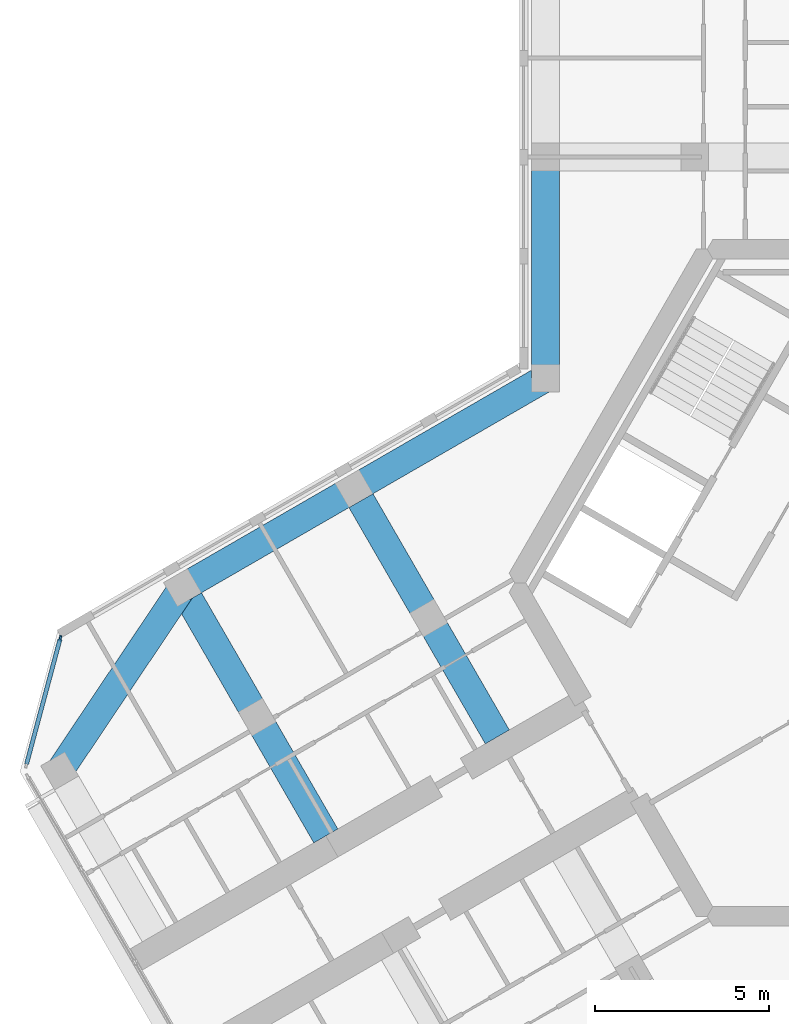
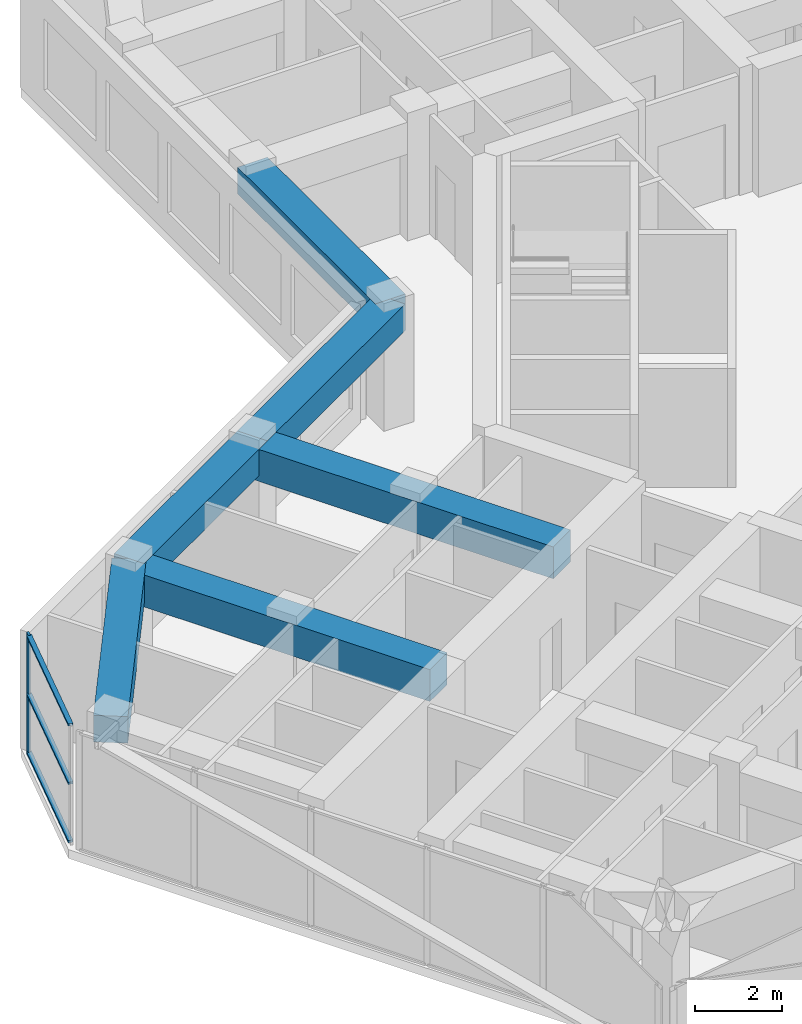
# One storey, part 3 of 14: 6 beams, 4 members, 1 element without a shape of its own.
"""IFC4 building model written with IfcOpenShell, lengths in metres."""

from ifc_helpers import new_model, si_unit, direction, frame, origin, origin_2d, place, context, subcontext, project, spatial, rectangle, extrude, material, material_profile, profile_set, type_object, element, aggregate, save


model = new_model("IFC4")

# Units and contexts
model_context = context("Model", 3, precision=1e-05, world=origin(), true_north=direction((0.0, 1.0)))
body_context = subcontext(model_context, "Body", "Model", "MODEL_VIEW")
ifc_project = project(units=[si_unit("LENGTHUNIT", "METRE"), si_unit("AREAUNIT", "SQUARE_METRE"), si_unit("VOLUMEUNIT", "CUBIC_METRE"), si_unit("PLANEANGLEUNIT", "RADIAN"), si_unit("MASSUNIT", "GRAM", prefix="KILO")], contexts=[model_context])

# Site, building, storey
site_placement = place(None, origin())
site = spatial("IfcSite", under=ifc_project, at=site_placement, CompositionType="ELEMENT")
building_placement = place(site_placement, origin())
building = spatial("IfcBuilding", under=site, at=building_placement, Name="Kosmar Iwan School Tower", CompositionType="ELEMENT")
storey_placement = place(building_placement, frame((0.0, 0.0, 267.39990234375)))
storey = spatial("IfcBuildingStorey", under=building, at=storey_placement, Name="L67", CompositionType="ELEMENT", Elevation=267.39990234375)

# Curtain wall, member
ifc_material_1 = material(Name="Dark glass in black aluminium frame", Category="aluminium")
curtain_wall_type = type_object("IfcCurtainWallType", Name="Chamfer curtain wall dark glass", PredefinedType="USERDEFINED", material=ifc_material_1)
curtain_wall_placement = place(storey_placement, origin())
curtain_wall = element("IfcCurtainWall", 1, at=curtain_wall_placement, inside=storey, type_object=curtain_wall_type, Name="Curtain wall L67-F12", ObjectType="FACETED CURTAIN WALL", PredefinedType="USERDEFINED")
ifc_material_2 = material(Name="Black anodised aluminium", Category="aluminium")
ifc_material_profile_1 = material_profile(ifc_material_2, rectangle(XDim=0.06005859375, YDim=0.159912109375, at=origin_2d()), Name="MULLION 60x160")
ifc_profile_set_1 = profile_set([ifc_material_profile_1], Name="Black anodised aluminium")
member_type_1 = type_object("IfcMemberType", Name="Mullion 60x160", PredefinedType="MULLION", material=ifc_profile_set_1)
member_1_placement = place(storey_placement, frame((-24.163818359375, -1.59814453125, 0.0), z_axis=(0.0, 0.0, 1.0), x_axis=(0.965925875495, -0.258818861462, 0.0)))
member_1 = element("IfcMember", 2, at=member_1_placement, type_object=member_type_1, Name="CW2 mullion 1", PredefinedType="MULLION", context=body_context, shape_type="SweptSolid", body=[
    extrude(rectangle(XDim=0.06005859375, YDim=0.159912109375, at=origin_2d()), origin(), (0.0, 0.0, 1.0), 3.35009765625),
])

# Beams
ifc_material_3 = material(Name="Concrete C50/60", Category="concrete")
ifc_material_profile_2 = material_profile(ifc_material_3, rectangle(XDim=0.800048828125, YDim=0.75, at=origin_2d()), Name="RC 800x750")
ifc_profile_set_2 = profile_set([ifc_material_profile_2], Name="Concrete C50/60")
beam_type_1 = type_object("IfcBeamType", Name="RC edge beam 800x750", PredefinedType="BEAM", material=ifc_profile_set_2)
beam_1_placement = place(storey_placement, frame((-10.199951171875, 5.888916015625, 2.97509765625), z_axis=(0.0, 1.0, 0.0), x_axis=(-1.0, 0.0, 0.0)))
element("IfcBeam", 3, at=beam_1_placement, inside=storey, type_object=beam_type_1, Name="Edge beam AL1", PredefinedType="BEAM", context=body_context, shape_type="SweptSolid", body=[
    extrude(rectangle(XDim=0.800048828125, YDim=0.75, at=origin_2d()), origin(), (0.0, 0.0, 1.0), 6.361083984375),
])
beam_2_placement = place(storey_placement, frame((-10.199951171875, 5.888916015625, 2.97509765625), z_axis=(-0.866030912664, -0.49999045822, 0.0), x_axis=(0.49999045822, -0.866030912664, 0.0)))
element("IfcBeam", 4, at=beam_2_placement, inside=storey, type_object=beam_type_1, Name="Edge beam BR1", PredefinedType="BEAM", context=body_context, shape_type="SweptSolid", body=[
    extrude(rectangle(XDim=0.800048828125, YDim=0.75, at=origin_2d()), origin(), (0.0, 0.0, 1.0), 6.36083984375),
])
beam_3_placement = place(storey_placement, frame((-15.708740234375, 2.70849609375, 2.97509765625), z_axis=(-0.866025820012, -0.499999279071, 0.0), x_axis=(0.499999279071, -0.866025820012, 0.0)))
element("IfcBeam", 5, at=beam_3_placement, inside=storey, type_object=beam_type_1, Name="Edge beam BR2", PredefinedType="BEAM", context=body_context, shape_type="SweptSolid", body=[
    extrude(rectangle(XDim=0.800048828125, YDim=0.75, at=origin_2d()), origin(), (0.0, 0.0, 1.0), 5.7001953125),
])
ifc_material_4 = material(Name="Concrete C50/60", Category="concrete")
ifc_material_profile_3 = material_profile(ifc_material_4, rectangle(XDim=0.800048828125, YDim=0.75, at=origin_2d()), Name="RC 800x750")
ifc_profile_set_3 = profile_set([ifc_material_profile_3], Name="Concrete C50/60")
beam_type_2 = type_object("IfcBeamType", Name="RC tip beam 800x750", PredefinedType="BEAM", material=ifc_profile_set_3)
beam_4_placement = place(storey_placement, frame((-20.645263671875, -0.1416015625, 2.97509765625), z_axis=(-0.556827604145, -0.83062808721, 0.0), x_axis=(0.83062808721, -0.556827604145, 0.0)))
element("IfcBeam", 6, at=beam_4_placement, inside=storey, type_object=beam_type_2, Name="Tip beam BR", PredefinedType="BEAM", context=body_context, shape_type="SweptSolid", body=[
    extrude(rectangle(XDim=0.800048828125, YDim=0.75, at=origin_2d()), origin(), (0.0, 0.0, 1.0), 6.3505859375),
])
ifc_material_5 = material(Name="Concrete C50/60", Category="concrete")
ifc_material_profile_4 = material_profile(ifc_material_5, rectangle(XDim=0.800048828125, YDim=0.89990234375, at=origin_2d()), Name="RC 800x900")
ifc_profile_set_4 = profile_set([ifc_material_profile_4], Name="Concrete C50/60")
beam_type_3 = type_object("IfcBeamType", Name="RC transverse beam 800x900", PredefinedType="BEAM", material=ifc_profile_set_4)
beam_5_placement = place(storey_placement, frame((-15.708740234375, 2.70849609375, 2.900146484375), z_axis=(0.499996545922, -0.866027397988, 0.0), x_axis=(0.866027397988, 0.499996545922, 0.0)))
element("IfcBeam", 7, at=beam_5_placement, inside=storey, type_object=beam_type_3, Name="Transverse beam BR1", PredefinedType="BEAM", context=body_context, shape_type="SweptSolid", body=[
    extrude(rectangle(XDim=0.800048828125, YDim=0.89990234375, at=origin_2d()), origin(), (0.0, 0.0, 1.0), 8.25),
])
beam_6_placement = place(storey_placement, frame((-20.645263671875, -0.1416015625, 2.900146484375), z_axis=(0.500009360108, -0.866019999656, 0.0), x_axis=(0.866019999656, 0.500009360108, 0.0)))
element("IfcBeam", 8, at=beam_6_placement, inside=storey, type_object=beam_type_3, Name="Transverse beam BR2", PredefinedType="BEAM", context=body_context, shape_type="SweptSolid", body=[
    extrude(rectangle(XDim=0.800048828125, YDim=0.89990234375, at=origin_2d()), origin(), (0.0, 0.0, 1.0), 8.249755859375),
])

# Member
ifc_material_6 = material(Name="Black anodised aluminium", Category="aluminium")
ifc_material_profile_5 = material_profile(ifc_material_6, rectangle(XDim=0.1201171875, YDim=0.06005859375, at=origin_2d()), Name="TRANSOM 60x120")
ifc_profile_set_5 = profile_set([ifc_material_profile_5], Name="Black anodised aluminium")
member_type_2 = type_object("IfcMemberType", Name="Transom 60x120", PredefinedType="USERDEFINED", material=ifc_profile_set_5)
member_2_placement = place(storey_placement, frame((-24.17138671875, -1.627197265625, 0.030029296875), z_axis=(-0.258843273983, -0.965919333854, 0.0), x_axis=(0.965919333854, -0.258843273983, 0.0)))
member_2 = element("IfcMember", 9, at=member_2_placement, type_object=member_type_2, Name="CW2 transom 1.1", ObjectType="TRANSOM", PredefinedType="USERDEFINED", context=body_context, shape_type="SweptSolid", body=[
    extrude(rectangle(XDim=0.1201171875, YDim=0.06005859375, at=origin_2d()), origin(), (0.0, 0.0, 1.0), 3.718994140625),
])

member_3_placement = place(storey_placement, frame((-24.17138671875, -1.627197265625, 1.675048828125), z_axis=(-0.258843273983, -0.965919333854, 0.0), x_axis=(0.965919333854, -0.258843273983, 0.0)))
member_3 = element("IfcMember", 10, at=member_3_placement, type_object=member_type_2, Name="CW2 transom 1.2", ObjectType="TRANSOM", PredefinedType="USERDEFINED", context=body_context, shape_type="SweptSolid", body=[
    extrude(rectangle(XDim=0.1201171875, YDim=0.06005859375, at=origin_2d()), origin(), (0.0, 0.0, 1.0), 3.718994140625),
])

member_4_placement = place(storey_placement, frame((-24.17138671875, -1.627197265625, 3.320068359375), z_axis=(-0.258843273983, -0.965919333854, 0.0), x_axis=(0.965919333854, -0.258843273983, 0.0)))
member_4 = element("IfcMember", 11, at=member_4_placement, type_object=member_type_2, Name="CW2 transom 1.3", ObjectType="TRANSOM", PredefinedType="USERDEFINED", context=body_context, shape_type="SweptSolid", body=[
    extrude(rectangle(XDim=0.1201171875, YDim=0.06005859375, at=origin_2d()), origin(), (0.0, 0.0, 1.0), 3.718994140625),
])

aggregate(curtain_wall, [member_1, member_2, member_3, member_4])

save(model, "model.ifc")
